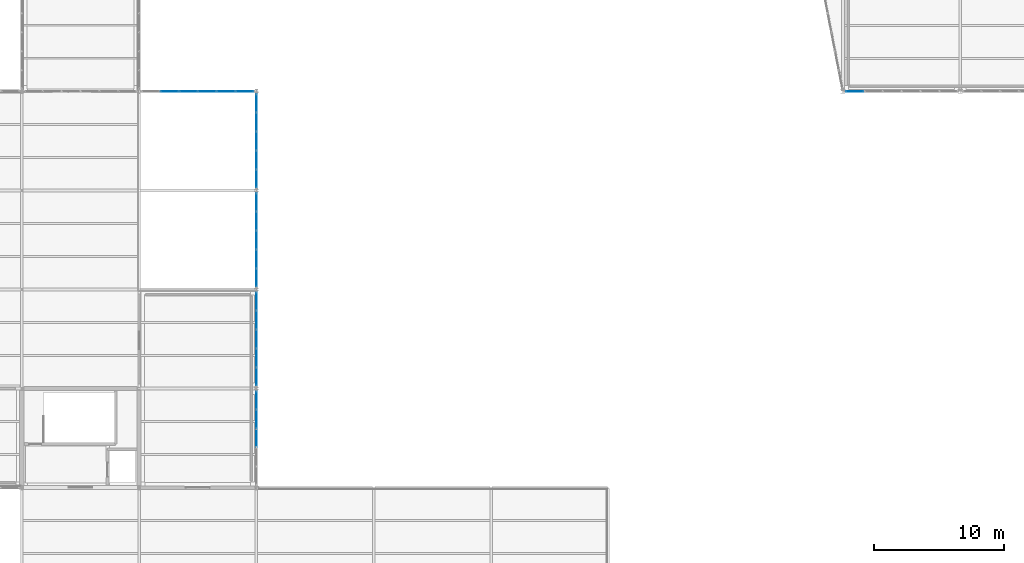
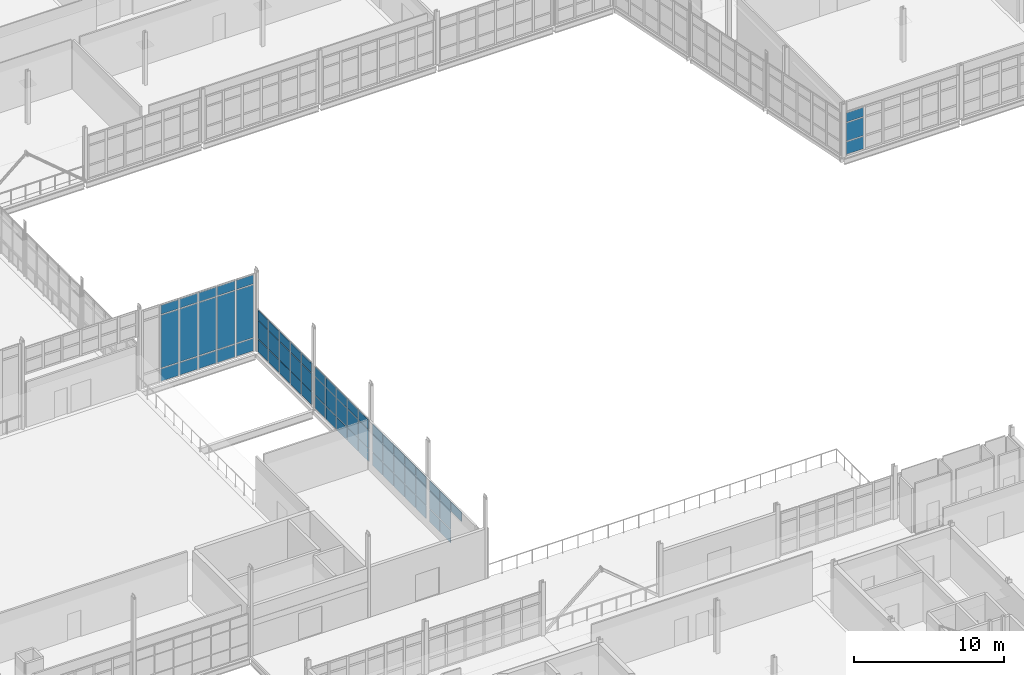
# One storey, part 128 of 166: 70 plates, 6 elements without a shape of their own.
"""IFC4 building model written with IfcOpenShell, lengths in metres."""

from ifc_helpers import new_model, si_unit, direction, frame, origin, origin_2d, place, context, subcontext, project, spatial, rectangle, extrude, material, layer, layer_set, type_object, element, aggregate, save


model = new_model("IFC4")

# Units and contexts
model_context = context("Model", 3, precision=1e-05, world=origin(), true_north=direction((0.0, 1.0)))
body_context = subcontext(model_context, "Body", "Model", "MODEL_VIEW")
ifc_project = project(units=[si_unit("LENGTHUNIT", "METRE"), si_unit("AREAUNIT", "SQUARE_METRE"), si_unit("VOLUMEUNIT", "CUBIC_METRE"), si_unit("PLANEANGLEUNIT", "RADIAN"), si_unit("MASSUNIT", "GRAM", prefix="KILO")], contexts=[model_context])

# Site, building, storey
site_placement = place(None, origin())
site = spatial("IfcSite", under=ifc_project, at=site_placement, CompositionType="ELEMENT")
building_placement = place(site_placement, origin())
building = spatial("IfcBuilding", under=site, at=building_placement, Name="Caisbarro Railhouse Central Library", CompositionType="ELEMENT")
storey_placement = place(building_placement, frame((0.0, 0.0, 9.360107421875)))
storey = spatial("IfcBuildingStorey", under=building, at=storey_placement, Name="L02", CompositionType="ELEMENT", Elevation=9.360107421875)

# Curtain wall, plates
ifc_material_1 = material(Name="Anodised architectural aluminium", Category="aluminium")
curtain_wall_type_1 = type_object("IfcCurtainWallType", Name="CW-CW04", PredefinedType="NOTDEFINED", material=ifc_material_1)
curtain_wall_1_placement = place(storey_placement, origin())
curtain_wall_1 = element("IfcCurtainWall", 1, at=curtain_wall_1_placement, inside=storey, type_object=curtain_wall_type_1, Name="CW04 curtain wall L02 #20", PredefinedType="NOTDEFINED")
ifc_material_2 = material(Name="Double low-e laminated solar-control glass", Category="glass")
ifc_layer_1 = layer(ifc_material_2, 0.028076171875, Name="Double low-e laminated solar-control glass")
ifc_layer_set_1 = layer_set([ifc_layer_1], Name="Double low-e laminated solar-control glass")
plate_type_1 = type_object("IfcPlateType", Name="CWP-CP28", PredefinedType="CURTAIN_PANEL", material=ifc_layer_set_1)
plate_1_placement = place(storey_placement, frame((65.330078125, 60.800048828125, 0.07470703125), z_axis=(0.0, 0.0, 1.0), x_axis=(1.0, 0.0, 0.0)))
plate_1 = element("IfcPlate", 2, at=plate_1_placement, type_object=plate_type_1, Name="CW04 panel 2.1", PredefinedType="CURTAIN_PANEL", context=body_context, shape_type="SweptSolid", body=[
    extrude(rectangle(XDim=1.37158203125, YDim=0.028076171875, at=origin_2d()), origin(), (0.0, 0.0, 1.0), 1.007568359375),
])
plate_2_placement = place(storey_placement, frame((65.330078125, 60.800048828125, 1.157470703125), z_axis=(0.0, 0.0, 1.0), x_axis=(1.0, 0.0, 0.0)))
plate_2 = element("IfcPlate", 3, at=plate_2_placement, type_object=plate_type_1, Name="CW04 panel 2.2", PredefinedType="CURTAIN_PANEL", context=body_context, shape_type="SweptSolid", body=[
    extrude(rectangle(XDim=1.37158203125, YDim=0.028076171875, at=origin_2d()), origin(), (0.0, 0.0, 1.0), 4.27490234375),
])
plate_3_placement = place(storey_placement, frame((65.330078125, 60.800048828125, 5.50732421875), z_axis=(0.0, 0.0, 1.0), x_axis=(1.0, 0.0, 0.0)))
plate_3 = element("IfcPlate", 4, at=plate_3_placement, type_object=plate_type_1, Name="CW04 panel 2.3", PredefinedType="CURTAIN_PANEL", context=body_context, shape_type="SweptSolid", body=[
    extrude(rectangle(XDim=1.37158203125, YDim=0.028076171875, at=origin_2d()), origin(), (0.0, 0.0, 1.0), 0.737548828125),
])
plate_4_placement = place(storey_placement, frame((66.776611328125, 60.800048828125, 0.07470703125), z_axis=(0.0, 0.0, 1.0), x_axis=(1.0, 0.0, 0.0)))
plate_4 = element("IfcPlate", 5, at=plate_4_placement, type_object=plate_type_1, Name="CW04 panel 3.1", PredefinedType="CURTAIN_PANEL", context=body_context, shape_type="SweptSolid", body=[
    extrude(rectangle(XDim=1.37158203125, YDim=0.028076171875, at=origin_2d()), origin(), (0.0, 0.0, 1.0), 1.007568359375),
])
plate_5_placement = place(storey_placement, frame((66.776611328125, 60.800048828125, 1.157470703125), z_axis=(0.0, 0.0, 1.0), x_axis=(1.0, 0.0, 0.0)))
plate_5 = element("IfcPlate", 6, at=plate_5_placement, type_object=plate_type_1, Name="CW04 panel 3.2", PredefinedType="CURTAIN_PANEL", context=body_context, shape_type="SweptSolid", body=[
    extrude(rectangle(XDim=1.37158203125, YDim=0.028076171875, at=origin_2d()), origin(), (0.0, 0.0, 1.0), 4.27490234375),
])
plate_6_placement = place(storey_placement, frame((66.776611328125, 60.800048828125, 5.50732421875), z_axis=(0.0, 0.0, 1.0), x_axis=(1.0, 0.0, 0.0)))
plate_6 = element("IfcPlate", 7, at=plate_6_placement, type_object=plate_type_1, Name="CW04 panel 3.3", PredefinedType="CURTAIN_PANEL", context=body_context, shape_type="SweptSolid", body=[
    extrude(rectangle(XDim=1.37158203125, YDim=0.028076171875, at=origin_2d()), origin(), (0.0, 0.0, 1.0), 0.737548828125),
])
plate_7_placement = place(storey_placement, frame((68.223388671875, 60.800048828125, 0.07470703125), z_axis=(0.0, 0.0, 1.0), x_axis=(1.0, 0.0, 0.0)))
plate_7 = element("IfcPlate", 8, at=plate_7_placement, type_object=plate_type_1, Name="CW04 panel 4.1", PredefinedType="CURTAIN_PANEL", context=body_context, shape_type="SweptSolid", body=[
    extrude(rectangle(XDim=1.37158203125, YDim=0.028076171875, at=origin_2d()), origin(), (0.0, 0.0, 1.0), 1.007568359375),
])
plate_8_placement = place(storey_placement, frame((68.223388671875, 60.800048828125, 1.157470703125), z_axis=(0.0, 0.0, 1.0), x_axis=(1.0, 0.0, 0.0)))
plate_8 = element("IfcPlate", 9, at=plate_8_placement, type_object=plate_type_1, Name="CW04 panel 4.2", PredefinedType="CURTAIN_PANEL", context=body_context, shape_type="SweptSolid", body=[
    extrude(rectangle(XDim=1.37158203125, YDim=0.028076171875, at=origin_2d()), origin(), (0.0, 0.0, 1.0), 4.27490234375),
])
plate_9_placement = place(storey_placement, frame((68.223388671875, 60.800048828125, 5.50732421875), z_axis=(0.0, 0.0, 1.0), x_axis=(1.0, 0.0, 0.0)))
plate_9 = element("IfcPlate", 10, at=plate_9_placement, type_object=plate_type_1, Name="CW04 panel 4.3", PredefinedType="CURTAIN_PANEL", context=body_context, shape_type="SweptSolid", body=[
    extrude(rectangle(XDim=1.37158203125, YDim=0.028076171875, at=origin_2d()), origin(), (0.0, 0.0, 1.0), 0.737548828125),
])
plate_10_placement = place(storey_placement, frame((69.669921875, 60.800048828125, 0.07470703125), z_axis=(0.0, 0.0, 1.0), x_axis=(1.0, 0.0, 0.0)))
plate_10 = element("IfcPlate", 11, at=plate_10_placement, type_object=plate_type_1, Name="CW04 panel 5.1", PredefinedType="CURTAIN_PANEL", context=body_context, shape_type="SweptSolid", body=[
    extrude(rectangle(XDim=1.37158203125, YDim=0.028076171875, at=origin_2d()), origin(), (0.0, 0.0, 1.0), 1.007568359375),
])
plate_11_placement = place(storey_placement, frame((69.669921875, 60.800048828125, 1.157470703125), z_axis=(0.0, 0.0, 1.0), x_axis=(1.0, 0.0, 0.0)))
plate_11 = element("IfcPlate", 12, at=plate_11_placement, type_object=plate_type_1, Name="CW04 panel 5.2", PredefinedType="CURTAIN_PANEL", context=body_context, shape_type="SweptSolid", body=[
    extrude(rectangle(XDim=1.37158203125, YDim=0.028076171875, at=origin_2d()), origin(), (0.0, 0.0, 1.0), 4.27490234375),
])
plate_12_placement = place(storey_placement, frame((69.669921875, 60.800048828125, 5.50732421875), z_axis=(0.0, 0.0, 1.0), x_axis=(1.0, 0.0, 0.0)))
plate_12 = element("IfcPlate", 13, at=plate_12_placement, type_object=plate_type_1, Name="CW04 panel 5.3", PredefinedType="CURTAIN_PANEL", context=body_context, shape_type="SweptSolid", body=[
    extrude(rectangle(XDim=1.37158203125, YDim=0.028076171875, at=origin_2d()), origin(), (0.0, 0.0, 1.0), 0.737548828125),
])
plate_13_placement = place(storey_placement, frame((71.097900390625, 60.800048828125, 0.07470703125), z_axis=(0.0, 0.0, 1.0), x_axis=(1.0, 0.0, 0.0)))
plate_13 = element("IfcPlate", 14, at=plate_13_placement, type_object=plate_type_1, Name="CW04 panel 6.1", PredefinedType="CURTAIN_PANEL", context=body_context, shape_type="SweptSolid", body=[
    extrude(rectangle(XDim=1.334228515625, YDim=0.028076171875, at=origin_2d()), origin(), (0.0, 0.0, 1.0), 1.007568359375),
])
plate_14_placement = place(storey_placement, frame((71.097900390625, 60.800048828125, 1.157470703125), z_axis=(0.0, 0.0, 1.0), x_axis=(1.0, 0.0, 0.0)))
plate_14 = element("IfcPlate", 15, at=plate_14_placement, type_object=plate_type_1, Name="CW04 panel 6.2", PredefinedType="CURTAIN_PANEL", context=body_context, shape_type="SweptSolid", body=[
    extrude(rectangle(XDim=1.334228515625, YDim=0.028076171875, at=origin_2d()), origin(), (0.0, 0.0, 1.0), 4.27490234375),
])
plate_15_placement = place(storey_placement, frame((71.097900390625, 60.800048828125, 5.50732421875), z_axis=(0.0, 0.0, 1.0), x_axis=(1.0, 0.0, 0.0)))
plate_15 = element("IfcPlate", 16, at=plate_15_placement, type_object=plate_type_1, Name="CW04 panel 6.3", PredefinedType="CURTAIN_PANEL", context=body_context, shape_type="SweptSolid", body=[
    extrude(rectangle(XDim=1.334228515625, YDim=0.028076171875, at=origin_2d()), origin(), (0.0, 0.0, 1.0), 0.737548828125),
])
aggregate(curtain_wall_1, [plate_1, plate_2, plate_3, plate_4, plate_5, plate_6, plate_7, plate_8, plate_9, plate_10, plate_11, plate_12, plate_13, plate_14, plate_15])

curtain_wall_type_2 = type_object("IfcCurtainWallType", Name="CW-CW02", PredefinedType="NOTDEFINED", material=ifc_material_1)
curtain_wall_2_placement = place(storey_placement, origin())
curtain_wall_2 = element("IfcCurtainWall", 17, at=curtain_wall_2_placement, inside=storey, type_object=curtain_wall_type_2, Name="CW02 curtain wall L02 #133", PredefinedType="NOTDEFINED")
plate_16_placement = place(storey_placement, frame((117.902099609375, 60.800048828125, 0.07470703125), z_axis=(0.0, 0.0, 1.0), x_axis=(1.0, 0.0, 0.0)))
plate_16 = element("IfcPlate", 18, at=plate_16_placement, type_object=plate_type_1, Name="CW02 panel 1.1", PredefinedType="CURTAIN_PANEL", context=body_context, shape_type="SweptSolid", body=[
    extrude(rectangle(XDim=1.334228515625, YDim=0.028076171875, at=origin_2d()), origin(), (0.0, 0.0, 1.0), 1.007568359375),
])
plate_17_placement = place(storey_placement, frame((117.902099609375, 60.800048828125, 1.1572265625), z_axis=(0.0, 0.0, 1.0), x_axis=(1.0, 0.0, 0.0)))
plate_17 = element("IfcPlate", 19, at=plate_17_placement, type_object=plate_type_1, Name="CW02 panel 1.2", PredefinedType="CURTAIN_PANEL", context=body_context, shape_type="SweptSolid", body=[
    extrude(rectangle(XDim=1.334228515625, YDim=0.028076171875, at=origin_2d()), origin(), (0.0, 0.0, 1.0), 1.465087890625),
])
plate_18_placement = place(storey_placement, frame((117.902099609375, 60.800048828125, 2.697265625), z_axis=(0.0, 0.0, 1.0), x_axis=(1.0, 0.0, 0.0)))
plate_18 = element("IfcPlate", 20, at=plate_18_placement, type_object=plate_type_1, Name="CW02 panel 1.3", PredefinedType="CURTAIN_PANEL", context=body_context, shape_type="SweptSolid", body=[
    extrude(rectangle(XDim=1.334228515625, YDim=0.028076171875, at=origin_2d()), origin(), (0.0, 0.0, 1.0), 0.737548828125),
])
aggregate(curtain_wall_2, [plate_16, plate_17, plate_18])

curtain_wall_3_placement = place(storey_placement, origin())
curtain_wall_3 = element("IfcCurtainWall", 21, at=curtain_wall_3_placement, inside=storey, type_object=curtain_wall_type_2, Name="CW02 curtain wall L02 #40", PredefinedType="NOTDEFINED")
ifc_layer_2 = layer(ifc_material_2, 0.0380859375, Name="Double low-e laminated solar-control glass")
ifc_layer_set_2 = layer_set([ifc_layer_2], Name="Double low-e laminated solar-control glass")
plate_type_2 = type_object("IfcPlateType", Name="CWP-CP38", PredefinedType="CURTAIN_PANEL", material=ifc_layer_set_2)
plate_19_placement = place(storey_placement, frame((72.0, 34.199951171875, 2.67236328125), z_axis=(0.0, 0.0, 1.0), x_axis=(0.0, 1.0, 0.0)))
plate_19 = element("IfcPlate", 22, at=plate_19_placement, type_object=plate_type_2, Name="CW02 panel 3.3", PredefinedType="CURTAIN_PANEL", context=body_context, shape_type="SweptSolid", body=[
    extrude(rectangle(XDim=1.381103515625, YDim=0.0380859375, at=origin_2d()), origin(), (0.0, 0.0, 1.0), 0.75244140625),
])
plate_20_placement = place(storey_placement, frame((72.0, 35.656005859375, 0.06494140625), z_axis=(0.0, 0.0, 1.0), x_axis=(0.0, 1.0, 0.0)))
plate_20 = element("IfcPlate", 23, at=plate_20_placement, type_object=plate_type_2, Name="CW02 panel 4.1", PredefinedType="CURTAIN_PANEL", context=body_context, shape_type="SweptSolid", body=[
    extrude(rectangle(XDim=1.381103515625, YDim=0.0380859375, at=origin_2d()), origin(), (0.0, 0.0, 1.0), 1.0224609375),
])
plate_21_placement = place(storey_placement, frame((72.0, 35.656005859375, 1.15234375), z_axis=(0.0, 0.0, 1.0), x_axis=(0.0, 1.0, 0.0)))
plate_21 = element("IfcPlate", 24, at=plate_21_placement, type_object=plate_type_2, Name="CW02 panel 4.2", PredefinedType="CURTAIN_PANEL", context=body_context, shape_type="SweptSolid", body=[
    extrude(rectangle(XDim=1.381103515625, YDim=0.0380859375, at=origin_2d()), origin(), (0.0, 0.0, 1.0), 1.455078125),
])
plate_22_placement = place(storey_placement, frame((72.0, 35.656005859375, 2.67236328125), z_axis=(0.0, 0.0, 1.0), x_axis=(0.0, 1.0, 0.0)))
plate_22 = element("IfcPlate", 25, at=plate_22_placement, type_object=plate_type_2, Name="CW02 panel 4.3", PredefinedType="CURTAIN_PANEL", context=body_context, shape_type="SweptSolid", body=[
    extrude(rectangle(XDim=1.381103515625, YDim=0.0380859375, at=origin_2d()), origin(), (0.0, 0.0, 1.0), 0.75244140625),
])
plate_23_placement = place(storey_placement, frame((72.0, 37.09326171875, 0.06494140625), z_axis=(0.0, 0.0, 1.0), x_axis=(0.0, 1.0, 0.0)))
plate_23 = element("IfcPlate", 26, at=plate_23_placement, type_object=plate_type_2, Name="CW02 panel 5.1", PredefinedType="CURTAIN_PANEL", context=body_context, shape_type="SweptSolid", body=[
    extrude(rectangle(XDim=1.343505859375, YDim=0.0380859375, at=origin_2d()), origin(), (0.0, 0.0, 1.0), 1.0224609375),
])
plate_24_placement = place(storey_placement, frame((72.0, 37.09326171875, 1.15234375), z_axis=(0.0, 0.0, 1.0), x_axis=(0.0, 1.0, 0.0)))
plate_24 = element("IfcPlate", 27, at=plate_24_placement, type_object=plate_type_2, Name="CW02 panel 5.2", PredefinedType="CURTAIN_PANEL", context=body_context, shape_type="SweptSolid", body=[
    extrude(rectangle(XDim=1.343505859375, YDim=0.0380859375, at=origin_2d()), origin(), (0.0, 0.0, 1.0), 1.455078125),
])
plate_25_placement = place(storey_placement, frame((72.0, 37.09326171875, 2.67236328125), z_axis=(0.0, 0.0, 1.0), x_axis=(0.0, 1.0, 0.0)))
plate_25 = element("IfcPlate", 28, at=plate_25_placement, type_object=plate_type_2, Name="CW02 panel 5.3", PredefinedType="CURTAIN_PANEL", context=body_context, shape_type="SweptSolid", body=[
    extrude(rectangle(XDim=1.343505859375, YDim=0.0380859375, at=origin_2d()), origin(), (0.0, 0.0, 1.0), 0.75244140625),
])
aggregate(curtain_wall_3, [plate_19, plate_20, plate_21, plate_22, plate_23, plate_24, plate_25])

curtain_wall_4_placement = place(storey_placement, origin())
curtain_wall_4 = element("IfcCurtainWall", 29, at=curtain_wall_4_placement, inside=storey, type_object=curtain_wall_type_2, Name="CW02 curtain wall L02 #41", PredefinedType="NOTDEFINED")
ifc_layer_3 = layer(ifc_material_2, 0.048095703125, Name="Double low-e laminated solar-control glass")
ifc_layer_set_3 = layer_set([ifc_layer_3], Name="Double low-e laminated solar-control glass")
plate_type_3 = type_object("IfcPlateType", Name="CWP-CP48", PredefinedType="CURTAIN_PANEL", material=ifc_layer_set_3)
plate_26_placement = place(storey_placement, frame((72.0, 38.90673828125, 0.06494140625), z_axis=(0.0, 0.0, 1.0), x_axis=(0.0, 1.0, 0.0)))
plate_26 = element("IfcPlate", 30, at=plate_26_placement, type_object=plate_type_3, Name="CW02 panel 1.1", PredefinedType="CURTAIN_PANEL", context=body_context, shape_type="SweptSolid", body=[
    extrude(rectangle(XDim=1.343505859375, YDim=0.048095703125, at=origin_2d()), origin(), (0.0, 0.0, 1.0), 1.0224609375),
])
plate_27_placement = place(storey_placement, frame((72.0, 38.90673828125, 1.15234375), z_axis=(0.0, 0.0, 1.0), x_axis=(0.0, 1.0, 0.0)))
plate_27 = element("IfcPlate", 31, at=plate_27_placement, type_object=plate_type_3, Name="CW02 panel 1.2", PredefinedType="CURTAIN_PANEL", context=body_context, shape_type="SweptSolid", body=[
    extrude(rectangle(XDim=1.343505859375, YDim=0.048095703125, at=origin_2d()), origin(), (0.0, 0.0, 1.0), 1.455078125),
])
plate_28_placement = place(storey_placement, frame((72.0, 38.90673828125, 2.67236328125), z_axis=(0.0, 0.0, 1.0), x_axis=(0.0, 1.0, 0.0)))
plate_28 = element("IfcPlate", 32, at=plate_28_placement, type_object=plate_type_3, Name="CW02 panel 1.3", PredefinedType="CURTAIN_PANEL", context=body_context, shape_type="SweptSolid", body=[
    extrude(rectangle(XDim=1.343505859375, YDim=0.048095703125, at=origin_2d()), origin(), (0.0, 0.0, 1.0), 0.75244140625),
])
plate_29_placement = place(storey_placement, frame((72.0, 40.343994140625, 0.06494140625), z_axis=(0.0, 0.0, 1.0), x_axis=(0.0, 1.0, 0.0)))
plate_29 = element("IfcPlate", 33, at=plate_29_placement, type_object=plate_type_3, Name="CW02 panel 2.1", PredefinedType="CURTAIN_PANEL", context=body_context, shape_type="SweptSolid", body=[
    extrude(rectangle(XDim=1.381103515625, YDim=0.048095703125, at=origin_2d()), origin(), (0.0, 0.0, 1.0), 1.0224609375),
])
plate_30_placement = place(storey_placement, frame((72.0, 40.343994140625, 1.15234375), z_axis=(0.0, 0.0, 1.0), x_axis=(0.0, 1.0, 0.0)))
plate_30 = element("IfcPlate", 34, at=plate_30_placement, type_object=plate_type_3, Name="CW02 panel 2.2", PredefinedType="CURTAIN_PANEL", context=body_context, shape_type="SweptSolid", body=[
    extrude(rectangle(XDim=1.381103515625, YDim=0.048095703125, at=origin_2d()), origin(), (0.0, 0.0, 1.0), 1.455078125),
])
plate_31_placement = place(storey_placement, frame((72.0, 40.343994140625, 2.67236328125), z_axis=(0.0, 0.0, 1.0), x_axis=(0.0, 1.0, 0.0)))
plate_31 = element("IfcPlate", 35, at=plate_31_placement, type_object=plate_type_3, Name="CW02 panel 2.3", PredefinedType="CURTAIN_PANEL", context=body_context, shape_type="SweptSolid", body=[
    extrude(rectangle(XDim=1.381103515625, YDim=0.048095703125, at=origin_2d()), origin(), (0.0, 0.0, 1.0), 0.75244140625),
])
plate_32_placement = place(storey_placement, frame((72.0, 41.800048828125, 0.06494140625), z_axis=(0.0, 0.0, 1.0), x_axis=(0.0, 1.0, 0.0)))
plate_32 = element("IfcPlate", 36, at=plate_32_placement, type_object=plate_type_3, Name="CW02 panel 3.1", PredefinedType="CURTAIN_PANEL", context=body_context, shape_type="SweptSolid", body=[
    extrude(rectangle(XDim=1.381103515625, YDim=0.048095703125, at=origin_2d()), origin(), (0.0, 0.0, 1.0), 1.0224609375),
])
plate_33_placement = place(storey_placement, frame((72.0, 41.800048828125, 1.15234375), z_axis=(0.0, 0.0, 1.0), x_axis=(0.0, 1.0, 0.0)))
plate_33 = element("IfcPlate", 37, at=plate_33_placement, type_object=plate_type_3, Name="CW02 panel 3.2", PredefinedType="CURTAIN_PANEL", context=body_context, shape_type="SweptSolid", body=[
    extrude(rectangle(XDim=1.381103515625, YDim=0.048095703125, at=origin_2d()), origin(), (0.0, 0.0, 1.0), 1.455078125),
])
plate_34_placement = place(storey_placement, frame((72.0, 41.800048828125, 2.67236328125), z_axis=(0.0, 0.0, 1.0), x_axis=(0.0, 1.0, 0.0)))
plate_34 = element("IfcPlate", 38, at=plate_34_placement, type_object=plate_type_3, Name="CW02 panel 3.3", PredefinedType="CURTAIN_PANEL", context=body_context, shape_type="SweptSolid", body=[
    extrude(rectangle(XDim=1.381103515625, YDim=0.048095703125, at=origin_2d()), origin(), (0.0, 0.0, 1.0), 0.75244140625),
])
plate_35_placement = place(storey_placement, frame((72.0, 43.256103515625, 0.06494140625), z_axis=(0.0, 0.0, 1.0), x_axis=(0.0, 1.0, 0.0)))
plate_35 = element("IfcPlate", 39, at=plate_35_placement, type_object=plate_type_3, Name="CW02 panel 4.1", PredefinedType="CURTAIN_PANEL", context=body_context, shape_type="SweptSolid", body=[
    extrude(rectangle(XDim=1.381103515625, YDim=0.048095703125, at=origin_2d()), origin(), (0.0, 0.0, 1.0), 1.0224609375),
])
plate_36_placement = place(storey_placement, frame((72.0, 43.256103515625, 1.15234375), z_axis=(0.0, 0.0, 1.0), x_axis=(0.0, 1.0, 0.0)))
plate_36 = element("IfcPlate", 40, at=plate_36_placement, type_object=plate_type_3, Name="CW02 panel 4.2", PredefinedType="CURTAIN_PANEL", context=body_context, shape_type="SweptSolid", body=[
    extrude(rectangle(XDim=1.381103515625, YDim=0.048095703125, at=origin_2d()), origin(), (0.0, 0.0, 1.0), 1.455078125),
])
plate_37_placement = place(storey_placement, frame((72.0, 43.256103515625, 2.67236328125), z_axis=(0.0, 0.0, 1.0), x_axis=(0.0, 1.0, 0.0)))
plate_37 = element("IfcPlate", 41, at=plate_37_placement, type_object=plate_type_3, Name="CW02 panel 4.3", PredefinedType="CURTAIN_PANEL", context=body_context, shape_type="SweptSolid", body=[
    extrude(rectangle(XDim=1.381103515625, YDim=0.048095703125, at=origin_2d()), origin(), (0.0, 0.0, 1.0), 0.75244140625),
])
plate_38_placement = place(storey_placement, frame((72.0, 44.693359375, 0.06494140625), z_axis=(0.0, 0.0, 1.0), x_axis=(0.0, 1.0, 0.0)))
plate_38 = element("IfcPlate", 42, at=plate_38_placement, type_object=plate_type_3, Name="CW02 panel 5.1", PredefinedType="CURTAIN_PANEL", context=body_context, shape_type="SweptSolid", body=[
    extrude(rectangle(XDim=1.343505859375, YDim=0.048095703125, at=origin_2d()), origin(), (0.0, 0.0, 1.0), 1.0224609375),
])
plate_39_placement = place(storey_placement, frame((72.0, 44.693359375, 1.15234375), z_axis=(0.0, 0.0, 1.0), x_axis=(0.0, 1.0, 0.0)))
plate_39 = element("IfcPlate", 43, at=plate_39_placement, type_object=plate_type_3, Name="CW02 panel 5.2", PredefinedType="CURTAIN_PANEL", context=body_context, shape_type="SweptSolid", body=[
    extrude(rectangle(XDim=1.343505859375, YDim=0.048095703125, at=origin_2d()), origin(), (0.0, 0.0, 1.0), 1.455078125),
])
plate_40_placement = place(storey_placement, frame((72.0, 44.693359375, 2.67236328125), z_axis=(0.0, 0.0, 1.0), x_axis=(0.0, 1.0, 0.0)))
plate_40 = element("IfcPlate", 44, at=plate_40_placement, type_object=plate_type_3, Name="CW02 panel 5.3", PredefinedType="CURTAIN_PANEL", context=body_context, shape_type="SweptSolid", body=[
    extrude(rectangle(XDim=1.343505859375, YDim=0.048095703125, at=origin_2d()), origin(), (0.0, 0.0, 1.0), 0.75244140625),
])
aggregate(curtain_wall_4, [plate_26, plate_27, plate_28, plate_29, plate_30, plate_31, plate_32, plate_33, plate_34, plate_35, plate_36, plate_37, plate_38, plate_39, plate_40])

curtain_wall_5_placement = place(storey_placement, origin())
curtain_wall_5 = element("IfcCurtainWall", 45, at=curtain_wall_5_placement, inside=storey, type_object=curtain_wall_type_2, Name="CW02 curtain wall L02 #42", PredefinedType="NOTDEFINED")
ifc_layer_4 = layer(ifc_material_2, 0.05810546875, Name="Double low-e laminated solar-control glass")
ifc_layer_set_4 = layer_set([ifc_layer_4], Name="Double low-e laminated solar-control glass")
plate_type_4 = type_object("IfcPlateType", Name="CWP-CP58", PredefinedType="CURTAIN_PANEL", material=ifc_layer_set_4)
plate_41_placement = place(storey_placement, frame((72.0, 46.5068359375, 0.06494140625), z_axis=(0.0, 0.0, 1.0), x_axis=(0.0, 1.0, 0.0)))
plate_41 = element("IfcPlate", 46, at=plate_41_placement, type_object=plate_type_4, Name="CW02 panel 1.1", PredefinedType="CURTAIN_PANEL", context=body_context, shape_type="SweptSolid", body=[
    extrude(rectangle(XDim=1.343505859375, YDim=0.05810546875, at=origin_2d()), origin(), (0.0, 0.0, 1.0), 1.0224609375),
])
plate_42_placement = place(storey_placement, frame((72.0, 46.5068359375, 1.15234375), z_axis=(0.0, 0.0, 1.0), x_axis=(0.0, 1.0, 0.0)))
plate_42 = element("IfcPlate", 47, at=plate_42_placement, type_object=plate_type_4, Name="CW02 panel 1.2", PredefinedType="CURTAIN_PANEL", context=body_context, shape_type="SweptSolid", body=[
    extrude(rectangle(XDim=1.343505859375, YDim=0.05810546875, at=origin_2d()), origin(), (0.0, 0.0, 1.0), 1.455078125),
])
plate_43_placement = place(storey_placement, frame((72.0, 46.5068359375, 2.67236328125), z_axis=(0.0, 0.0, 1.0), x_axis=(0.0, 1.0, 0.0)))
plate_43 = element("IfcPlate", 48, at=plate_43_placement, type_object=plate_type_4, Name="CW02 panel 1.3", PredefinedType="CURTAIN_PANEL", context=body_context, shape_type="SweptSolid", body=[
    extrude(rectangle(XDim=1.343505859375, YDim=0.05810546875, at=origin_2d()), origin(), (0.0, 0.0, 1.0), 0.75244140625),
])
plate_44_placement = place(storey_placement, frame((72.0, 47.944091796875, 0.06494140625), z_axis=(0.0, 0.0, 1.0), x_axis=(0.0, 1.0, 0.0)))
plate_44 = element("IfcPlate", 49, at=plate_44_placement, type_object=plate_type_4, Name="CW02 panel 2.1", PredefinedType="CURTAIN_PANEL", context=body_context, shape_type="SweptSolid", body=[
    extrude(rectangle(XDim=1.381103515625, YDim=0.05810546875, at=origin_2d()), origin(), (0.0, 0.0, 1.0), 1.0224609375),
])
plate_45_placement = place(storey_placement, frame((72.0, 47.944091796875, 1.15234375), z_axis=(0.0, 0.0, 1.0), x_axis=(0.0, 1.0, 0.0)))
plate_45 = element("IfcPlate", 50, at=plate_45_placement, type_object=plate_type_4, Name="CW02 panel 2.2", PredefinedType="CURTAIN_PANEL", context=body_context, shape_type="SweptSolid", body=[
    extrude(rectangle(XDim=1.381103515625, YDim=0.05810546875, at=origin_2d()), origin(), (0.0, 0.0, 1.0), 1.455078125),
])
plate_46_placement = place(storey_placement, frame((72.0, 47.944091796875, 2.67236328125), z_axis=(0.0, 0.0, 1.0), x_axis=(0.0, 1.0, 0.0)))
plate_46 = element("IfcPlate", 51, at=plate_46_placement, type_object=plate_type_4, Name="CW02 panel 2.3", PredefinedType="CURTAIN_PANEL", context=body_context, shape_type="SweptSolid", body=[
    extrude(rectangle(XDim=1.381103515625, YDim=0.05810546875, at=origin_2d()), origin(), (0.0, 0.0, 1.0), 0.75244140625),
])
plate_47_placement = place(storey_placement, frame((72.0, 49.39990234375, 0.06494140625), z_axis=(0.0, 0.0, 1.0), x_axis=(0.0, 1.0, 0.0)))
plate_47 = element("IfcPlate", 52, at=plate_47_placement, type_object=plate_type_4, Name="CW02 panel 3.1", PredefinedType="CURTAIN_PANEL", context=body_context, shape_type="SweptSolid", body=[
    extrude(rectangle(XDim=1.381103515625, YDim=0.05810546875, at=origin_2d()), origin(), (0.0, 0.0, 1.0), 1.0224609375),
])
plate_48_placement = place(storey_placement, frame((72.0, 49.39990234375, 1.15234375), z_axis=(0.0, 0.0, 1.0), x_axis=(0.0, 1.0, 0.0)))
plate_48 = element("IfcPlate", 53, at=plate_48_placement, type_object=plate_type_4, Name="CW02 panel 3.2", PredefinedType="CURTAIN_PANEL", context=body_context, shape_type="SweptSolid", body=[
    extrude(rectangle(XDim=1.381103515625, YDim=0.05810546875, at=origin_2d()), origin(), (0.0, 0.0, 1.0), 1.455078125),
])
plate_49_placement = place(storey_placement, frame((72.0, 49.39990234375, 2.67236328125), z_axis=(0.0, 0.0, 1.0), x_axis=(0.0, 1.0, 0.0)))
plate_49 = element("IfcPlate", 54, at=plate_49_placement, type_object=plate_type_4, Name="CW02 panel 3.3", PredefinedType="CURTAIN_PANEL", context=body_context, shape_type="SweptSolid", body=[
    extrude(rectangle(XDim=1.381103515625, YDim=0.05810546875, at=origin_2d()), origin(), (0.0, 0.0, 1.0), 0.75244140625),
])
plate_50_placement = place(storey_placement, frame((72.0, 50.85595703125, 0.06494140625), z_axis=(0.0, 0.0, 1.0), x_axis=(0.0, 1.0, 0.0)))
plate_50 = element("IfcPlate", 55, at=plate_50_placement, type_object=plate_type_4, Name="CW02 panel 4.1", PredefinedType="CURTAIN_PANEL", context=body_context, shape_type="SweptSolid", body=[
    extrude(rectangle(XDim=1.381103515625, YDim=0.05810546875, at=origin_2d()), origin(), (0.0, 0.0, 1.0), 1.0224609375),
])
plate_51_placement = place(storey_placement, frame((72.0, 50.85595703125, 1.15234375), z_axis=(0.0, 0.0, 1.0), x_axis=(0.0, 1.0, 0.0)))
plate_51 = element("IfcPlate", 56, at=plate_51_placement, type_object=plate_type_4, Name="CW02 panel 4.2", PredefinedType="CURTAIN_PANEL", context=body_context, shape_type="SweptSolid", body=[
    extrude(rectangle(XDim=1.381103515625, YDim=0.05810546875, at=origin_2d()), origin(), (0.0, 0.0, 1.0), 1.455078125),
])
plate_52_placement = place(storey_placement, frame((72.0, 50.85595703125, 2.67236328125), z_axis=(0.0, 0.0, 1.0), x_axis=(0.0, 1.0, 0.0)))
plate_52 = element("IfcPlate", 57, at=plate_52_placement, type_object=plate_type_4, Name="CW02 panel 4.3", PredefinedType="CURTAIN_PANEL", context=body_context, shape_type="SweptSolid", body=[
    extrude(rectangle(XDim=1.381103515625, YDim=0.05810546875, at=origin_2d()), origin(), (0.0, 0.0, 1.0), 0.75244140625),
])
plate_53_placement = place(storey_placement, frame((72.0, 52.293212890625, 0.06494140625), z_axis=(0.0, 0.0, 1.0), x_axis=(0.0, 1.0, 0.0)))
plate_53 = element("IfcPlate", 58, at=plate_53_placement, type_object=plate_type_4, Name="CW02 panel 5.1", PredefinedType="CURTAIN_PANEL", context=body_context, shape_type="SweptSolid", body=[
    extrude(rectangle(XDim=1.343505859375, YDim=0.05810546875, at=origin_2d()), origin(), (0.0, 0.0, 1.0), 1.0224609375),
])
plate_54_placement = place(storey_placement, frame((72.0, 52.293212890625, 1.15234375), z_axis=(0.0, 0.0, 1.0), x_axis=(0.0, 1.0, 0.0)))
plate_54 = element("IfcPlate", 59, at=plate_54_placement, type_object=plate_type_4, Name="CW02 panel 5.2", PredefinedType="CURTAIN_PANEL", context=body_context, shape_type="SweptSolid", body=[
    extrude(rectangle(XDim=1.343505859375, YDim=0.05810546875, at=origin_2d()), origin(), (0.0, 0.0, 1.0), 1.455078125),
])
plate_55_placement = place(storey_placement, frame((72.0, 52.293212890625, 2.67236328125), z_axis=(0.0, 0.0, 1.0), x_axis=(0.0, 1.0, 0.0)))
plate_55 = element("IfcPlate", 60, at=plate_55_placement, type_object=plate_type_4, Name="CW02 panel 5.3", PredefinedType="CURTAIN_PANEL", context=body_context, shape_type="SweptSolid", body=[
    extrude(rectangle(XDim=1.343505859375, YDim=0.05810546875, at=origin_2d()), origin(), (0.0, 0.0, 1.0), 0.75244140625),
])
aggregate(curtain_wall_5, [plate_41, plate_42, plate_43, plate_44, plate_45, plate_46, plate_47, plate_48, plate_49, plate_50, plate_51, plate_52, plate_53, plate_54, plate_55])

curtain_wall_6_placement = place(storey_placement, origin())
curtain_wall_6 = element("IfcCurtainWall", 61, at=curtain_wall_6_placement, inside=storey, type_object=curtain_wall_type_2, Name="CW02 curtain wall L02 #43", PredefinedType="NOTDEFINED")
ifc_layer_5 = layer(ifc_material_2, 0.068115234375, Name="Double low-e laminated solar-control glass")
ifc_layer_set_5 = layer_set([ifc_layer_5], Name="Double low-e laminated solar-control glass")
plate_type_5 = type_object("IfcPlateType", Name="CWP-CP68", PredefinedType="CURTAIN_PANEL", material=ifc_layer_set_5)
plate_56_placement = place(storey_placement, frame((72.0, 54.106689453125, 0.06494140625), z_axis=(0.0, 0.0, 1.0), x_axis=(0.0, 1.0, 0.0)))
plate_56 = element("IfcPlate", 62, at=plate_56_placement, type_object=plate_type_5, Name="CW02 panel 1.1", PredefinedType="CURTAIN_PANEL", context=body_context, shape_type="SweptSolid", body=[
    extrude(rectangle(XDim=1.343505859375, YDim=0.068115234375, at=origin_2d()), origin(), (0.0, 0.0, 1.0), 1.0224609375),
])
plate_57_placement = place(storey_placement, frame((72.0, 54.106689453125, 1.15234375), z_axis=(0.0, 0.0, 1.0), x_axis=(0.0, 1.0, 0.0)))
plate_57 = element("IfcPlate", 63, at=plate_57_placement, type_object=plate_type_5, Name="CW02 panel 1.2", PredefinedType="CURTAIN_PANEL", context=body_context, shape_type="SweptSolid", body=[
    extrude(rectangle(XDim=1.343505859375, YDim=0.068115234375, at=origin_2d()), origin(), (0.0, 0.0, 1.0), 1.455078125),
])
plate_58_placement = place(storey_placement, frame((72.0, 54.106689453125, 2.67236328125), z_axis=(0.0, 0.0, 1.0), x_axis=(0.0, 1.0, 0.0)))
plate_58 = element("IfcPlate", 64, at=plate_58_placement, type_object=plate_type_5, Name="CW02 panel 1.3", PredefinedType="CURTAIN_PANEL", context=body_context, shape_type="SweptSolid", body=[
    extrude(rectangle(XDim=1.343505859375, YDim=0.068115234375, at=origin_2d()), origin(), (0.0, 0.0, 1.0), 0.75244140625),
])
plate_59_placement = place(storey_placement, frame((72.0, 55.5439453125, 0.06494140625), z_axis=(0.0, 0.0, 1.0), x_axis=(0.0, 1.0, 0.0)))
plate_59 = element("IfcPlate", 65, at=plate_59_placement, type_object=plate_type_5, Name="CW02 panel 2.1", PredefinedType="CURTAIN_PANEL", context=body_context, shape_type="SweptSolid", body=[
    extrude(rectangle(XDim=1.381103515625, YDim=0.068115234375, at=origin_2d()), origin(), (0.0, 0.0, 1.0), 1.0224609375),
])
plate_60_placement = place(storey_placement, frame((72.0, 55.5439453125, 1.15234375), z_axis=(0.0, 0.0, 1.0), x_axis=(0.0, 1.0, 0.0)))
plate_60 = element("IfcPlate", 66, at=plate_60_placement, type_object=plate_type_5, Name="CW02 panel 2.2", PredefinedType="CURTAIN_PANEL", context=body_context, shape_type="SweptSolid", body=[
    extrude(rectangle(XDim=1.381103515625, YDim=0.068115234375, at=origin_2d()), origin(), (0.0, 0.0, 1.0), 1.455078125),
])
plate_61_placement = place(storey_placement, frame((72.0, 55.5439453125, 2.67236328125), z_axis=(0.0, 0.0, 1.0), x_axis=(0.0, 1.0, 0.0)))
plate_61 = element("IfcPlate", 67, at=plate_61_placement, type_object=plate_type_5, Name="CW02 panel 2.3", PredefinedType="CURTAIN_PANEL", context=body_context, shape_type="SweptSolid", body=[
    extrude(rectangle(XDim=1.381103515625, YDim=0.068115234375, at=origin_2d()), origin(), (0.0, 0.0, 1.0), 0.75244140625),
])
plate_62_placement = place(storey_placement, frame((72.0, 57.0, 0.06494140625), z_axis=(0.0, 0.0, 1.0), x_axis=(0.0, 1.0, 0.0)))
plate_62 = element("IfcPlate", 68, at=plate_62_placement, type_object=plate_type_5, Name="CW02 panel 3.1", PredefinedType="CURTAIN_PANEL", context=body_context, shape_type="SweptSolid", body=[
    extrude(rectangle(XDim=1.381103515625, YDim=0.068115234375, at=origin_2d()), origin(), (0.0, 0.0, 1.0), 1.0224609375),
])
plate_63_placement = place(storey_placement, frame((72.0, 57.0, 1.15234375), z_axis=(0.0, 0.0, 1.0), x_axis=(0.0, 1.0, 0.0)))
plate_63 = element("IfcPlate", 69, at=plate_63_placement, type_object=plate_type_5, Name="CW02 panel 3.2", PredefinedType="CURTAIN_PANEL", context=body_context, shape_type="SweptSolid", body=[
    extrude(rectangle(XDim=1.381103515625, YDim=0.068115234375, at=origin_2d()), origin(), (0.0, 0.0, 1.0), 1.455078125),
])
plate_64_placement = place(storey_placement, frame((72.0, 57.0, 2.67236328125), z_axis=(0.0, 0.0, 1.0), x_axis=(0.0, 1.0, 0.0)))
plate_64 = element("IfcPlate", 70, at=plate_64_placement, type_object=plate_type_5, Name="CW02 panel 3.3", PredefinedType="CURTAIN_PANEL", context=body_context, shape_type="SweptSolid", body=[
    extrude(rectangle(XDim=1.381103515625, YDim=0.068115234375, at=origin_2d()), origin(), (0.0, 0.0, 1.0), 0.75244140625),
])
plate_65_placement = place(storey_placement, frame((72.0, 58.4560546875, 0.06494140625), z_axis=(0.0, 0.0, 1.0), x_axis=(0.0, 1.0, 0.0)))
plate_65 = element("IfcPlate", 71, at=plate_65_placement, type_object=plate_type_5, Name="CW02 panel 4.1", PredefinedType="CURTAIN_PANEL", context=body_context, shape_type="SweptSolid", body=[
    extrude(rectangle(XDim=1.381103515625, YDim=0.068115234375, at=origin_2d()), origin(), (0.0, 0.0, 1.0), 1.0224609375),
])
plate_66_placement = place(storey_placement, frame((72.0, 58.4560546875, 1.15234375), z_axis=(0.0, 0.0, 1.0), x_axis=(0.0, 1.0, 0.0)))
plate_66 = element("IfcPlate", 72, at=plate_66_placement, type_object=plate_type_5, Name="CW02 panel 4.2", PredefinedType="CURTAIN_PANEL", context=body_context, shape_type="SweptSolid", body=[
    extrude(rectangle(XDim=1.381103515625, YDim=0.068115234375, at=origin_2d()), origin(), (0.0, 0.0, 1.0), 1.455078125),
])
plate_67_placement = place(storey_placement, frame((72.0, 58.4560546875, 2.67236328125), z_axis=(0.0, 0.0, 1.0), x_axis=(0.0, 1.0, 0.0)))
plate_67 = element("IfcPlate", 73, at=plate_67_placement, type_object=plate_type_5, Name="CW02 panel 4.3", PredefinedType="CURTAIN_PANEL", context=body_context, shape_type="SweptSolid", body=[
    extrude(rectangle(XDim=1.381103515625, YDim=0.068115234375, at=origin_2d()), origin(), (0.0, 0.0, 1.0), 0.75244140625),
])
plate_68_placement = place(storey_placement, frame((72.0, 59.893310546875, 0.06494140625), z_axis=(0.0, 0.0, 1.0), x_axis=(0.0, 1.0, 0.0)))
plate_68 = element("IfcPlate", 74, at=plate_68_placement, type_object=plate_type_5, Name="CW02 panel 5.1", PredefinedType="CURTAIN_PANEL", context=body_context, shape_type="SweptSolid", body=[
    extrude(rectangle(XDim=1.343505859375, YDim=0.068115234375, at=origin_2d()), origin(), (0.0, 0.0, 1.0), 1.0224609375),
])
plate_69_placement = place(storey_placement, frame((72.0, 59.893310546875, 1.15234375), z_axis=(0.0, 0.0, 1.0), x_axis=(0.0, 1.0, 0.0)))
plate_69 = element("IfcPlate", 75, at=plate_69_placement, type_object=plate_type_5, Name="CW02 panel 5.2", PredefinedType="CURTAIN_PANEL", context=body_context, shape_type="SweptSolid", body=[
    extrude(rectangle(XDim=1.343505859375, YDim=0.068115234375, at=origin_2d()), origin(), (0.0, 0.0, 1.0), 1.455078125),
])
plate_70_placement = place(storey_placement, frame((72.0, 59.893310546875, 2.67236328125), z_axis=(0.0, 0.0, 1.0), x_axis=(0.0, 1.0, 0.0)))
plate_70 = element("IfcPlate", 76, at=plate_70_placement, type_object=plate_type_5, Name="CW02 panel 5.3", PredefinedType="CURTAIN_PANEL", context=body_context, shape_type="SweptSolid", body=[
    extrude(rectangle(XDim=1.343505859375, YDim=0.068115234375, at=origin_2d()), origin(), (0.0, 0.0, 1.0), 0.75244140625),
])
aggregate(curtain_wall_6, [plate_56, plate_57, plate_58, plate_59, plate_60, plate_61, plate_62, plate_63, plate_64, plate_65, plate_66, plate_67, plate_68, plate_69, plate_70])

save(model, "model.ifc")
